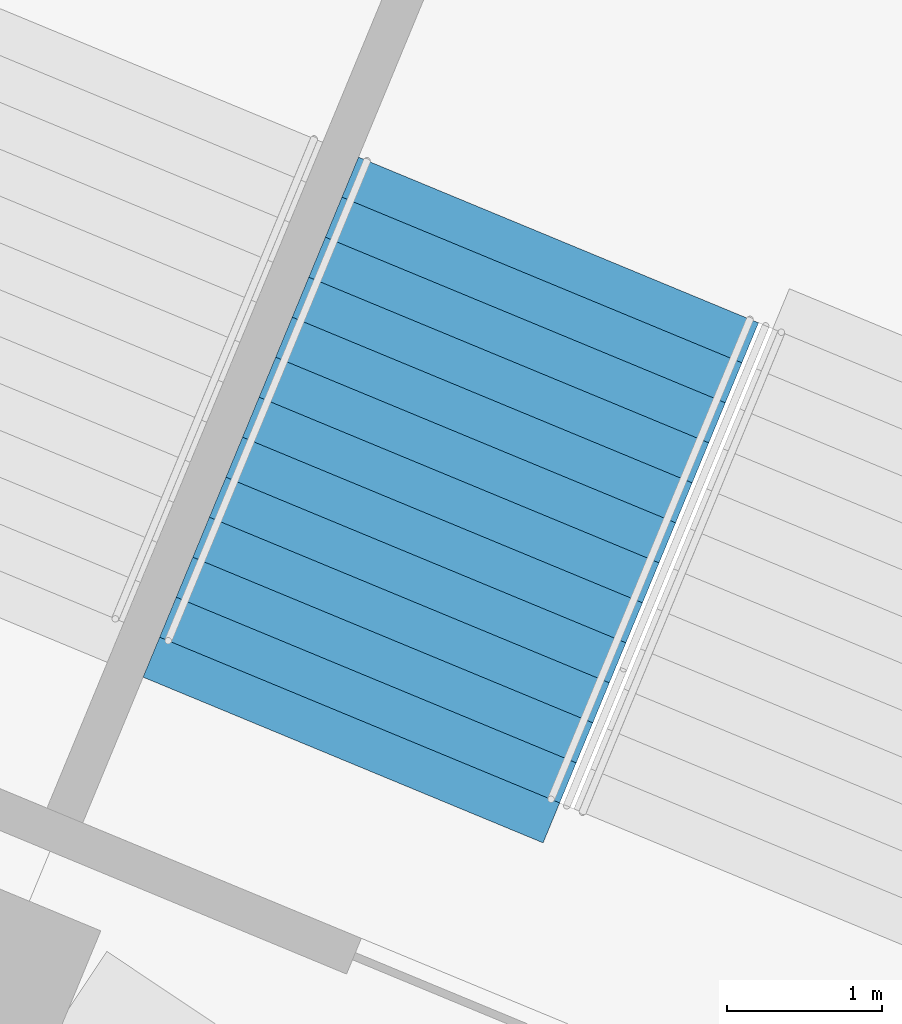
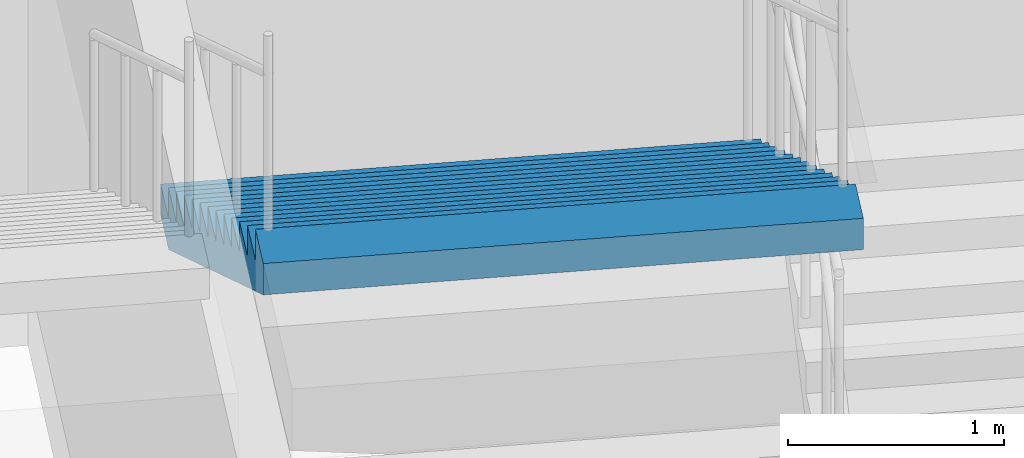
# One storey, part 184 of 199: 1 stair flight, 1 element without a shape of its own.
"""IFC4 building model written with IfcOpenShell, lengths in metres."""

from ifc_helpers import new_model, si_unit, direction, frame, origin, place, context, subcontext, project, spatial, faceted_brep, material, type_object, element, aggregate, save


model = new_model("IFC4")

# Units and contexts
model_context = context("Model", 3, precision=1e-05, world=origin(), true_north=direction((0.0, 1.0)))
body_context = subcontext(model_context, "Body", "Model", "MODEL_VIEW")
ifc_project = project(units=[si_unit("LENGTHUNIT", "METRE"), si_unit("AREAUNIT", "SQUARE_METRE"), si_unit("VOLUMEUNIT", "CUBIC_METRE"), si_unit("PLANEANGLEUNIT", "RADIAN"), si_unit("MASSUNIT", "GRAM", prefix="KILO")], contexts=[model_context])

# Site, building, storey
site_placement = place(None, origin())
site = spatial("IfcSite", under=ifc_project, at=site_placement, CompositionType="ELEMENT")
building_placement = place(site_placement, origin())
building = spatial("IfcBuilding", under=site, at=building_placement, Name="Ogive Plaza Stadium", CompositionType="ELEMENT")
storey_placement = place(building_placement, frame((0.0, 0.0, 4.5)))
storey = spatial("IfcBuildingStorey", under=building, at=storey_placement, Name="L01", CompositionType="ELEMENT", Elevation=4.5)

# Stair, stair flight
ifc_material_1 = material(Name="Concrete C40/50", Category="concrete")
stair_type = type_object("IfcStairType", Name="Exit stair", PredefinedType="STRAIGHT_RUN_STAIR", material=ifc_material_1)
stair_placement = place(storey_placement, origin())
stair = element("IfcStair", 1, at=stair_placement, inside=storey, type_object=stair_type, Name="Exit stair ST38A L01 to L02", PredefinedType="STRAIGHT_RUN_STAIR")
ifc_material_2 = material(Name="Concrete C40/50", Category="concrete")
stair_flight_type = type_object("IfcStairFlightType", Name="Exit stair flight", PredefinedType="STRAIGHT", material=ifc_material_2)
stair_flight_placement = place(storey_placement, frame((52.9013671875, 94.14697265625, 2.25), z_axis=(0.0, 0.0, 1.0), x_axis=(-0.382683432365, -0.923879532511, 0.0)))
stair_flight = element("IfcStairFlight", 2, at=stair_flight_placement, type_object=stair_flight_type, Name="ST38A flight 2", NumberOfRisers=13, NumberOfTreads=12, PredefinedType="STRAIGHT", RiserHeight=0.173076923, TreadLength=0.28, context=body_context, shape_type="Brep", body=[
    faceted_brep([(0.28515625, -1.39990234375, 0.0), (3.639892578125, -1.39990234375, 2.07373046875), (3.639892578125, -1.39990234375, 2.25), (3.360107421875, -1.39990234375, 2.25), (3.360107421875, -1.39990234375, 2.076904296875), (3.080078125, -1.39990234375, 2.076904296875), (3.080078125, -1.39990234375, 1.90380859375), (2.800048828125, -1.39990234375, 1.90380859375), (2.800048828125, -1.39990234375, 1.730712890625), (2.52001953125, -1.39990234375, 1.730712890625), (2.52001953125, -1.39990234375, 1.5576171875), (2.239990234375, -1.39990234375, 1.5576171875), (2.239990234375, -1.39990234375, 1.384521484375), (1.9599609375, -1.39990234375, 1.384521484375), (1.9599609375, -1.39990234375, 1.21142578125), (1.679931640625, -1.39990234375, 1.21142578125), (1.679931640625, -1.39990234375, 1.03857421875), (1.39990234375, -1.39990234375, 1.03857421875), (1.39990234375, -1.39990234375, 0.865478515625), (1.1201171875, -1.39990234375, 0.865478515625), (1.1201171875, -1.39990234375, 0.6923828125), (0.840087890625, -1.39990234375, 0.6923828125), (0.840087890625, -1.39990234375, 0.519287109375), (0.56005859375, -1.39990234375, 0.519287109375), (0.56005859375, -1.39990234375, 0.34619140625), (0.280029296875, -1.39990234375, 0.34619140625), (0.280029296875, -1.39990234375, 0.173095703125), (0.0, -1.39990234375, 0.173095703125), (0.0, -1.39990234375, 0.0), (0.0, 1.39990234375, 0.0), (0.0, 1.39990234375, 0.173095703125), (0.280029296875, 1.39990234375, 0.173095703125), (0.280029296875, 1.39990234375, 0.34619140625), (0.56005859375, 1.39990234375, 0.34619140625), (0.56005859375, 1.39990234375, 0.519287109375), (0.840087890625, 1.39990234375, 0.519287109375), (0.840087890625, 1.39990234375, 0.6923828125), (1.1201171875, 1.39990234375, 0.6923828125), (1.1201171875, 1.39990234375, 0.865478515625), (1.39990234375, 1.39990234375, 0.865478515625), (1.39990234375, 1.39990234375, 1.03857421875), (1.679931640625, 1.39990234375, 1.03857421875), (1.679931640625, 1.39990234375, 1.21142578125), (1.9599609375, 1.39990234375, 1.21142578125), (1.9599609375, 1.39990234375, 1.384521484375), (2.239990234375, 1.39990234375, 1.384521484375), (2.239990234375, 1.39990234375, 1.5576171875), (2.52001953125, 1.39990234375, 1.5576171875), (2.52001953125, 1.39990234375, 1.730712890625), (2.800048828125, 1.39990234375, 1.730712890625), (2.800048828125, 1.39990234375, 1.90380859375), (3.080078125, 1.39990234375, 1.90380859375), (3.080078125, 1.39990234375, 2.076904296875), (3.360107421875, 1.39990234375, 2.076904296875), (3.360107421875, 1.39990234375, 2.25), (3.639892578125, 1.39990234375, 2.25), (3.639892578125, 1.39990234375, 2.07373046875), (0.28515625, 1.39990234375, 0.0), (0.28515625, -1.0888671875, 0.0), (3.639892578125, -1.0888671875, 2.07373046875), (0.28515625, -0.77783203125, 0.0), (3.639892578125, -0.77783203125, 2.07373046875), (0.28515625, -0.466796875, 0.0), (3.639892578125, -0.466796875, 2.07373046875), (0.28515625, -0.155517578125, 0.0), (3.639892578125, -0.155517578125, 2.07373046875), (0.28515625, 0.155517578125, 0.0), (3.639892578125, 0.155517578125, 2.07373046875), (0.28515625, 0.466796875, 0.0), (3.639892578125, 0.466796875, 2.07373046875), (0.28515625, 0.77783203125, 0.0), (3.639892578125, 0.77783203125, 2.07373046875), (0.28515625, 1.0888671875, 0.0), (3.639892578125, 1.0888671875, 2.07373046875), (3.639892578125, -1.0888671875, 2.25), (3.639892578125, -0.77783203125, 2.25), (3.639892578125, -0.466796875, 2.25), (3.639892578125, -0.155517578125, 2.25), (3.639892578125, 0.155517578125, 2.25), (3.639892578125, 0.466796875, 2.25), (3.639892578125, 0.77783203125, 2.25), (3.639892578125, 1.0888671875, 2.25), (3.360107421875, -1.0888671875, 2.25), (3.360107421875, -0.77783203125, 2.25), (3.360107421875, -0.466796875, 2.25), (3.360107421875, -0.155517578125, 2.25), (3.360107421875, 0.155517578125, 2.25), (3.360107421875, 0.466796875, 2.25), (3.360107421875, 0.77783203125, 2.25), (3.360107421875, 1.0888671875, 2.25), (3.360107421875, -1.0888671875, 2.076904296875), (3.360107421875, -0.77783203125, 2.076904296875), (3.360107421875, -0.466796875, 2.076904296875), (3.360107421875, -0.155517578125, 2.076904296875), (3.360107421875, 0.155517578125, 2.076904296875), (3.360107421875, 0.466796875, 2.076904296875), (3.360107421875, 0.77783203125, 2.076904296875), (3.360107421875, 1.0888671875, 2.076904296875), (3.080078125, -1.0888671875, 2.076904296875), (3.080078125, -0.77783203125, 2.076904296875), (3.080078125, -0.466796875, 2.076904296875), (3.080078125, -0.155517578125, 2.076904296875), (3.080078125, 0.155517578125, 2.076904296875), (3.080078125, 0.466796875, 2.076904296875), (3.080078125, 0.77783203125, 2.076904296875), (3.080078125, 1.0888671875, 2.076904296875), (3.080078125, -1.0888671875, 1.90380859375), (3.080078125, -0.77783203125, 1.90380859375), (3.080078125, -0.466796875, 1.90380859375), (3.080078125, -0.155517578125, 1.90380859375), (3.080078125, 0.155517578125, 1.90380859375), (3.080078125, 0.466796875, 1.90380859375), (3.080078125, 0.77783203125, 1.90380859375), (3.080078125, 1.0888671875, 1.90380859375), (2.800048828125, -1.0888671875, 1.90380859375), (2.800048828125, -0.77783203125, 1.90380859375), (2.800048828125, -0.466796875, 1.90380859375), (2.800048828125, -0.155517578125, 1.90380859375), (2.800048828125, 0.155517578125, 1.90380859375), (2.800048828125, 0.466796875, 1.90380859375), (2.800048828125, 0.77783203125, 1.90380859375), (2.800048828125, 1.0888671875, 1.90380859375), (2.800048828125, -1.0888671875, 1.730712890625), (2.800048828125, -0.77783203125, 1.730712890625), (2.800048828125, -0.466796875, 1.730712890625), (2.800048828125, -0.155517578125, 1.730712890625), (2.800048828125, 0.155517578125, 1.730712890625), (2.800048828125, 0.466796875, 1.730712890625), (2.800048828125, 0.77783203125, 1.730712890625), (2.800048828125, 1.0888671875, 1.730712890625), (2.52001953125, -1.0888671875, 1.730712890625), (2.52001953125, -0.77783203125, 1.730712890625), (2.52001953125, -0.466796875, 1.730712890625), (2.52001953125, -0.155517578125, 1.730712890625), (2.52001953125, 0.155517578125, 1.730712890625), (2.52001953125, 0.466796875, 1.730712890625), (2.52001953125, 0.77783203125, 1.730712890625), (2.52001953125, 1.0888671875, 1.730712890625), (2.52001953125, -1.0888671875, 1.5576171875), (2.52001953125, -0.77783203125, 1.5576171875), (2.52001953125, -0.466796875, 1.5576171875), (2.52001953125, -0.155517578125, 1.5576171875), (2.52001953125, 0.155517578125, 1.5576171875), (2.52001953125, 0.466796875, 1.5576171875), (2.52001953125, 0.77783203125, 1.5576171875), (2.52001953125, 1.0888671875, 1.5576171875), (2.239990234375, -1.0888671875, 1.5576171875), (2.239990234375, -0.77783203125, 1.5576171875), (2.239990234375, -0.466796875, 1.5576171875), (2.239990234375, -0.155517578125, 1.5576171875), (2.239990234375, 0.155517578125, 1.5576171875), (2.239990234375, 0.466796875, 1.5576171875), (2.239990234375, 0.77783203125, 1.5576171875), (2.239990234375, 1.0888671875, 1.5576171875), (2.239990234375, -1.0888671875, 1.384521484375), (2.239990234375, -0.77783203125, 1.384521484375), (2.239990234375, -0.466796875, 1.384521484375), (2.239990234375, -0.155517578125, 1.384521484375), (2.239990234375, 0.155517578125, 1.384521484375), (2.239990234375, 0.466796875, 1.384521484375), (2.239990234375, 0.77783203125, 1.384521484375), (2.239990234375, 1.0888671875, 1.384521484375), (1.9599609375, -1.0888671875, 1.384521484375), (1.9599609375, -0.77783203125, 1.384521484375), (1.9599609375, -0.466796875, 1.384521484375), (1.9599609375, -0.155517578125, 1.384521484375), (1.9599609375, 0.155517578125, 1.384521484375), (1.9599609375, 0.466796875, 1.384521484375), (1.9599609375, 0.77783203125, 1.384521484375), (1.9599609375, 1.0888671875, 1.384521484375), (1.9599609375, -1.0888671875, 1.21142578125), (1.9599609375, -0.77783203125, 1.21142578125), (1.9599609375, -0.466796875, 1.21142578125), (1.9599609375, -0.155517578125, 1.21142578125), (1.9599609375, 0.155517578125, 1.21142578125), (1.9599609375, 0.466796875, 1.21142578125), (1.9599609375, 0.77783203125, 1.21142578125), (1.9599609375, 1.0888671875, 1.21142578125), (1.679931640625, -1.0888671875, 1.21142578125), (1.679931640625, -0.77783203125, 1.21142578125), (1.679931640625, -0.466796875, 1.21142578125), (1.679931640625, -0.155517578125, 1.21142578125), (1.679931640625, 0.155517578125, 1.21142578125), (1.679931640625, 0.466796875, 1.21142578125), (1.679931640625, 0.77783203125, 1.21142578125), (1.679931640625, 1.0888671875, 1.21142578125), (1.679931640625, -1.0888671875, 1.03857421875), (1.679931640625, -0.77783203125, 1.03857421875), (1.679931640625, -0.466796875, 1.03857421875), (1.679931640625, -0.155517578125, 1.03857421875), (1.679931640625, 0.155517578125, 1.03857421875), (1.679931640625, 0.466796875, 1.03857421875), (1.679931640625, 0.77783203125, 1.03857421875), (1.679931640625, 1.0888671875, 1.03857421875), (1.39990234375, -1.0888671875, 1.03857421875), (1.39990234375, -0.77783203125, 1.03857421875), (1.39990234375, -0.466796875, 1.03857421875), (1.39990234375, -0.155517578125, 1.03857421875), (1.39990234375, 0.155517578125, 1.03857421875), (1.39990234375, 0.466796875, 1.03857421875), (1.39990234375, 0.77783203125, 1.03857421875), (1.39990234375, 1.0888671875, 1.03857421875), (1.39990234375, -1.0888671875, 0.865478515625), (1.39990234375, -0.77783203125, 0.865478515625), (1.39990234375, -0.466796875, 0.865478515625), (1.39990234375, -0.155517578125, 0.865478515625), (1.39990234375, 0.155517578125, 0.865478515625), (1.39990234375, 0.466796875, 0.865478515625), (1.39990234375, 0.77783203125, 0.865478515625), (1.39990234375, 1.0888671875, 0.865478515625), (1.1201171875, -1.0888671875, 0.865478515625), (1.1201171875, -0.77783203125, 0.865478515625), (1.1201171875, -0.466796875, 0.865478515625), (1.1201171875, -0.155517578125, 0.865478515625), (1.1201171875, 0.155517578125, 0.865478515625), (1.1201171875, 0.466796875, 0.865478515625), (1.1201171875, 0.77783203125, 0.865478515625), (1.1201171875, 1.0888671875, 0.865478515625), (1.1201171875, -1.0888671875, 0.6923828125), (1.1201171875, -0.77783203125, 0.6923828125), (1.1201171875, -0.466796875, 0.6923828125), (1.1201171875, -0.155517578125, 0.6923828125), (1.1201171875, 0.155517578125, 0.6923828125), (1.1201171875, 0.466796875, 0.6923828125), (1.1201171875, 0.77783203125, 0.6923828125), (1.1201171875, 1.0888671875, 0.6923828125), (0.840087890625, -1.0888671875, 0.6923828125), (0.840087890625, -0.77783203125, 0.6923828125), (0.840087890625, -0.466796875, 0.6923828125), (0.840087890625, -0.155517578125, 0.6923828125), (0.840087890625, 0.155517578125, 0.6923828125), (0.840087890625, 0.466796875, 0.6923828125), (0.840087890625, 0.77783203125, 0.6923828125), (0.840087890625, 1.0888671875, 0.6923828125), (0.840087890625, -1.0888671875, 0.519287109375), (0.840087890625, -0.77783203125, 0.519287109375), (0.840087890625, -0.466796875, 0.519287109375), (0.840087890625, -0.155517578125, 0.519287109375), (0.840087890625, 0.155517578125, 0.519287109375), (0.840087890625, 0.466796875, 0.519287109375), (0.840087890625, 0.77783203125, 0.519287109375), (0.840087890625, 1.0888671875, 0.519287109375), (0.56005859375, -1.0888671875, 0.519287109375), (0.56005859375, -0.77783203125, 0.519287109375), (0.56005859375, -0.466796875, 0.519287109375), (0.56005859375, -0.155517578125, 0.519287109375), (0.56005859375, 0.155517578125, 0.519287109375), (0.56005859375, 0.466796875, 0.519287109375), (0.56005859375, 0.77783203125, 0.519287109375), (0.56005859375, 1.0888671875, 0.519287109375), (0.56005859375, -1.0888671875, 0.34619140625), (0.56005859375, -0.77783203125, 0.34619140625), (0.56005859375, -0.466796875, 0.34619140625), (0.56005859375, -0.155517578125, 0.34619140625), (0.56005859375, 0.155517578125, 0.34619140625), (0.56005859375, 0.466796875, 0.34619140625), (0.56005859375, 0.77783203125, 0.34619140625), (0.56005859375, 1.0888671875, 0.34619140625), (0.280029296875, -1.0888671875, 0.34619140625), (0.280029296875, -0.77783203125, 0.34619140625), (0.280029296875, -0.466796875, 0.34619140625), (0.280029296875, -0.155517578125, 0.34619140625), (0.280029296875, 0.155517578125, 0.34619140625), (0.280029296875, 0.466796875, 0.34619140625), (0.280029296875, 0.77783203125, 0.34619140625), (0.280029296875, 1.0888671875, 0.34619140625), (0.280029296875, -1.0888671875, 0.173095703125), (0.280029296875, -0.77783203125, 0.173095703125), (0.280029296875, -0.466796875, 0.173095703125), (0.280029296875, -0.155517578125, 0.173095703125), (0.280029296875, 0.155517578125, 0.173095703125), (0.280029296875, 0.466796875, 0.173095703125), (0.280029296875, 0.77783203125, 0.173095703125), (0.280029296875, 1.0888671875, 0.173095703125), (0.0, -1.0888671875, 0.173095703125), (0.0, -0.77783203125, 0.173095703125), (0.0, -0.466796875, 0.173095703125), (0.0, -0.155517578125, 0.173095703125), (0.0, 0.155517578125, 0.173095703125), (0.0, 0.466796875, 0.173095703125), (0.0, 0.77783203125, 0.173095703125), (0.0, 1.0888671875, 0.173095703125), (0.0, -1.0888671875, 0.0), (0.0, -0.77783203125, 0.0), (0.0, -0.466796875, 0.0), (0.0, -0.155517578125, 0.0), (0.0, 0.155517578125, 0.0), (0.0, 0.466796875, 0.0), (0.0, 0.77783203125, 0.0), (0.0, 1.0888671875, 0.0)], [[[0, 1, 2, 3, 4, 5, 6, 7, 8, 9, 10, 11, 12, 13, 14, 15, 16, 17, 18, 19, 20, 21, 22, 23, 24, 25, 26, 27, 28]], [[29, 30, 31, 32, 33, 34, 35, 36, 37, 38, 39, 40, 41, 42, 43, 44, 45, 46, 47, 48, 49, 50, 51, 52, 53, 54, 55, 56, 57]], [[0, 58, 59, 1]], [[58, 60, 61, 59]], [[60, 62, 63, 61]], [[62, 64, 65, 63]], [[64, 66, 67, 65]], [[66, 68, 69, 67]], [[68, 70, 71, 69]], [[70, 72, 73, 71]], [[72, 57, 56, 73]], [[1, 59, 74, 2]], [[59, 61, 75, 74]], [[61, 63, 76, 75]], [[63, 65, 77, 76]], [[65, 67, 78, 77]], [[67, 69, 79, 78]], [[69, 71, 80, 79]], [[71, 73, 81, 80]], [[73, 56, 55, 81]], [[2, 74, 82, 3]], [[74, 75, 83, 82]], [[75, 76, 84, 83]], [[76, 77, 85, 84]], [[77, 78, 86, 85]], [[78, 79, 87, 86]], [[79, 80, 88, 87]], [[80, 81, 89, 88]], [[81, 55, 54, 89]], [[3, 82, 90, 4]], [[82, 83, 91, 90]], [[83, 84, 92, 91]], [[84, 85, 93, 92]], [[85, 86, 94, 93]], [[86, 87, 95, 94]], [[87, 88, 96, 95]], [[88, 89, 97, 96]], [[89, 54, 53, 97]], [[4, 90, 98, 5]], [[90, 91, 99, 98]], [[91, 92, 100, 99]], [[92, 93, 101, 100]], [[93, 94, 102, 101]], [[94, 95, 103, 102]], [[95, 96, 104, 103]], [[96, 97, 105, 104]], [[97, 53, 52, 105]], [[5, 98, 106, 6]], [[98, 99, 107, 106]], [[99, 100, 108, 107]], [[100, 101, 109, 108]], [[101, 102, 110, 109]], [[102, 103, 111, 110]], [[103, 104, 112, 111]], [[104, 105, 113, 112]], [[105, 52, 51, 113]], [[6, 106, 114, 7]], [[106, 107, 115, 114]], [[107, 108, 116, 115]], [[108, 109, 117, 116]], [[109, 110, 118, 117]], [[110, 111, 119, 118]], [[111, 112, 120, 119]], [[112, 113, 121, 120]], [[113, 51, 50, 121]], [[7, 114, 122, 8]], [[114, 115, 123, 122]], [[115, 116, 124, 123]], [[116, 117, 125, 124]], [[117, 118, 126, 125]], [[118, 119, 127, 126]], [[119, 120, 128, 127]], [[120, 121, 129, 128]], [[121, 50, 49, 129]], [[8, 122, 130, 9]], [[122, 123, 131, 130]], [[123, 124, 132, 131]], [[124, 125, 133, 132]], [[125, 126, 134, 133]], [[126, 127, 135, 134]], [[127, 128, 136, 135]], [[128, 129, 137, 136]], [[129, 49, 48, 137]], [[9, 130, 138, 10]], [[130, 131, 139, 138]], [[131, 132, 140, 139]], [[132, 133, 141, 140]], [[133, 134, 142, 141]], [[134, 135, 143, 142]], [[135, 136, 144, 143]], [[136, 137, 145, 144]], [[137, 48, 47, 145]], [[10, 138, 146, 11]], [[138, 139, 147, 146]], [[139, 140, 148, 147]], [[140, 141, 149, 148]], [[141, 142, 150, 149]], [[142, 143, 151, 150]], [[143, 144, 152, 151]], [[144, 145, 153, 152]], [[145, 47, 46, 153]], [[11, 146, 154, 12]], [[146, 147, 155, 154]], [[147, 148, 156, 155]], [[148, 149, 157, 156]], [[149, 150, 158, 157]], [[150, 151, 159, 158]], [[151, 152, 160, 159]], [[152, 153, 161, 160]], [[153, 46, 45, 161]], [[12, 154, 162, 13]], [[154, 155, 163, 162]], [[155, 156, 164, 163]], [[156, 157, 165, 164]], [[157, 158, 166, 165]], [[158, 159, 167, 166]], [[159, 160, 168, 167]], [[160, 161, 169, 168]], [[161, 45, 44, 169]], [[13, 162, 170, 14]], [[162, 163, 171, 170]], [[163, 164, 172, 171]], [[164, 165, 173, 172]], [[165, 166, 174, 173]], [[166, 167, 175, 174]], [[167, 168, 176, 175]], [[168, 169, 177, 176]], [[169, 44, 43, 177]], [[14, 170, 178, 15]], [[170, 171, 179, 178]], [[171, 172, 180, 179]], [[172, 173, 181, 180]], [[173, 174, 182, 181]], [[174, 175, 183, 182]], [[175, 176, 184, 183]], [[176, 177, 185, 184]], [[177, 43, 42, 185]], [[15, 178, 186, 16]], [[178, 179, 187, 186]], [[179, 180, 188, 187]], [[180, 181, 189, 188]], [[181, 182, 190, 189]], [[182, 183, 191, 190]], [[183, 184, 192, 191]], [[184, 185, 193, 192]], [[185, 42, 41, 193]], [[16, 186, 194, 17]], [[186, 187, 195, 194]], [[187, 188, 196, 195]], [[188, 189, 197, 196]], [[189, 190, 198, 197]], [[190, 191, 199, 198]], [[191, 192, 200, 199]], [[192, 193, 201, 200]], [[193, 41, 40, 201]], [[17, 194, 202, 18]], [[194, 195, 203, 202]], [[195, 196, 204, 203]], [[196, 197, 205, 204]], [[197, 198, 206, 205]], [[198, 199, 207, 206]], [[199, 200, 208, 207]], [[200, 201, 209, 208]], [[201, 40, 39, 209]], [[18, 202, 210, 19]], [[202, 203, 211, 210]], [[203, 204, 212, 211]], [[204, 205, 213, 212]], [[205, 206, 214, 213]], [[206, 207, 215, 214]], [[207, 208, 216, 215]], [[208, 209, 217, 216]], [[209, 39, 38, 217]], [[19, 210, 218, 20]], [[210, 211, 219, 218]], [[211, 212, 220, 219]], [[212, 213, 221, 220]], [[213, 214, 222, 221]], [[214, 215, 223, 222]], [[215, 216, 224, 223]], [[216, 217, 225, 224]], [[217, 38, 37, 225]], [[20, 218, 226, 21]], [[218, 219, 227, 226]], [[219, 220, 228, 227]], [[220, 221, 229, 228]], [[221, 222, 230, 229]], [[222, 223, 231, 230]], [[223, 224, 232, 231]], [[224, 225, 233, 232]], [[225, 37, 36, 233]], [[21, 226, 234, 22]], [[226, 227, 235, 234]], [[227, 228, 236, 235]], [[228, 229, 237, 236]], [[229, 230, 238, 237]], [[230, 231, 239, 238]], [[231, 232, 240, 239]], [[232, 233, 241, 240]], [[233, 36, 35, 241]], [[22, 234, 242, 23]], [[234, 235, 243, 242]], [[235, 236, 244, 243]], [[236, 237, 245, 244]], [[237, 238, 246, 245]], [[238, 239, 247, 246]], [[239, 240, 248, 247]], [[240, 241, 249, 248]], [[241, 35, 34, 249]], [[23, 242, 250, 24]], [[242, 243, 251, 250]], [[243, 244, 252, 251]], [[244, 245, 253, 252]], [[245, 246, 254, 253]], [[246, 247, 255, 254]], [[247, 248, 256, 255]], [[248, 249, 257, 256]], [[249, 34, 33, 257]], [[24, 250, 258, 25]], [[250, 251, 259, 258]], [[251, 252, 260, 259]], [[252, 253, 261, 260]], [[253, 254, 262, 261]], [[254, 255, 263, 262]], [[255, 256, 264, 263]], [[256, 257, 265, 264]], [[257, 33, 32, 265]], [[25, 258, 266, 26]], [[258, 259, 267, 266]], [[259, 260, 268, 267]], [[260, 261, 269, 268]], [[261, 262, 270, 269]], [[262, 263, 271, 270]], [[263, 264, 272, 271]], [[264, 265, 273, 272]], [[265, 32, 31, 273]], [[26, 266, 274, 27]], [[266, 267, 275, 274]], [[267, 268, 276, 275]], [[268, 269, 277, 276]], [[269, 270, 278, 277]], [[270, 271, 279, 278]], [[271, 272, 280, 279]], [[272, 273, 281, 280]], [[273, 31, 30, 281]], [[27, 274, 282, 28]], [[274, 275, 283, 282]], [[275, 276, 284, 283]], [[276, 277, 285, 284]], [[277, 278, 286, 285]], [[278, 279, 287, 286]], [[279, 280, 288, 287]], [[280, 281, 289, 288]], [[281, 30, 29, 289]], [[28, 282, 58, 0]], [[282, 283, 60, 58]], [[283, 284, 62, 60]], [[284, 285, 64, 62]], [[285, 286, 66, 64]], [[286, 287, 68, 66]], [[287, 288, 70, 68]], [[288, 289, 72, 70]], [[289, 29, 57, 72]]]),
])
aggregate(stair, [stair_flight])

save(model, "model.ifc")
